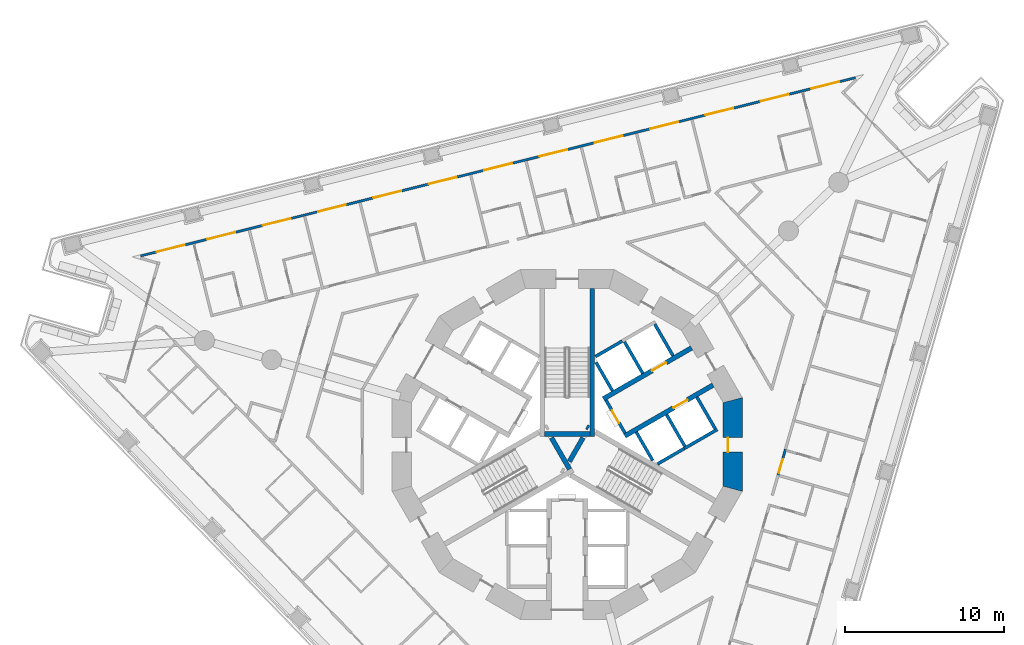
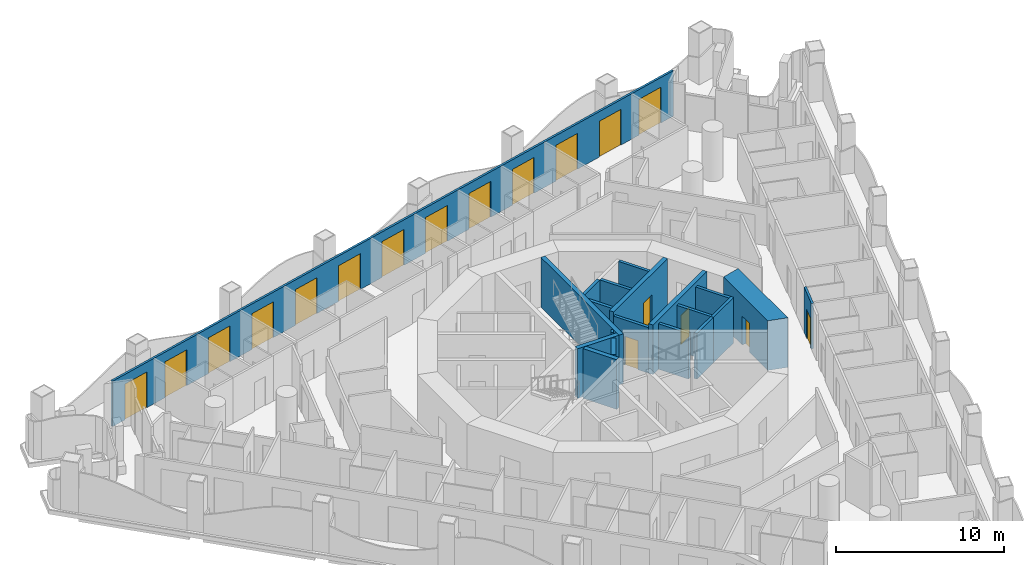
# One storey, part 8 of 19: 20 walls, 18 doors, 18 openings.
"""IFC4 building model written with IfcOpenShell, lengths in metres."""

from ifc_helpers import new_model, si_unit, direction, frame, frame_2d, origin, place, context, subcontext, project, spatial, polyline, rectangle, outline, extrude, material, layer, layer_set, type_object, element, fill, save


model = new_model("IFC4")

# Units and contexts
model_context = context("Model", 3, precision=1e-05, world=origin(), true_north=direction((0.0, 1.0)))
body_context = subcontext(model_context, "Body", "Model", "MODEL_VIEW")
ifc_project = project(units=[si_unit("LENGTHUNIT", "METRE"), si_unit("AREAUNIT", "SQUARE_METRE"), si_unit("VOLUMEUNIT", "CUBIC_METRE"), si_unit("PLANEANGLEUNIT", "RADIAN"), si_unit("MASSUNIT", "GRAM", prefix="KILO")], contexts=[model_context])

# Site, building, storey
site_placement = place(None, origin())
site = spatial("IfcSite", under=ifc_project, at=site_placement, CompositionType="ELEMENT")
building_placement = place(site_placement, origin())
building = spatial("IfcBuilding", under=site, at=building_placement, Name="Trine Commons Tower", CompositionType="ELEMENT")
storey_placement = place(building_placement, frame((0.0, 0.0, 105.300048828125)))
storey = spatial("IfcBuildingStorey", under=building, at=storey_placement, Name="L26", CompositionType="ELEMENT", Elevation=105.300048828125)

# Wall, openings, doors
ifc_material_1 = material(Name="Aluminium-framed insulated wall panel", Category="aluminium")
ifc_layer_1 = layer(ifc_material_1, 0.14990234375)
ifc_layer_set_1 = layer_set([ifc_layer_1], Name="Aluminium-framed insulated wall panel")
wall_type_1 = type_object("IfcWallType", Name="Glazed frame wall 150, EI 60", PredefinedType="SOLIDWALL", material=ifc_layer_set_1)
wall_1_placement = place(storey_placement, frame((53.01416015625, 74.326904296875, 0.0), z_axis=(0.0, 0.0, 1.0), x_axis=(0.970295935704, 0.24192105563, 0.0)))
wall_1 = element("IfcWall", 1, at=wall_1_placement, inside=storey, type_object=wall_type_1, Name="Glazed frame wall F1", PredefinedType="SOLIDWALL", context=body_context, shape_type="SweptSolid", body=[
    extrude(outline(polyline([(0.1494140625, 0.074951171875), (0.1494140625, -0.074951171875), (46.496826171875, -0.074951171875), (46.496826171875, 0.074951171875), (0.1494140625, 0.074951171875)])), origin(), (0.0, 0.0, 1.0), 3.300048828125),
])
opening_1_placement = place(wall_1_placement, frame((1.194091796875, 0.0, 0.0)))
opening_1 = element("IfcOpeningElement", 2, at=opening_1_placement, cuts=wall_1, Name="Opening BD-3F1-01", PredefinedType="OPENING", context=body_context, shape_type="SweptSolid", body=[
    extrude(rectangle(XDim=1.800048828125, YDim=2.60009765625, at=frame_2d((0.89990234375, 1.300048828125))), frame((0.0, 0.0849609375, 0.0), z_axis=(0.0, -1.0, 0.0), x_axis=(1.0, 0.0, 0.0)), (0.0, 0.0, 1.0), 0.169921875),
])
opening_2_placement = place(wall_1_placement, frame((4.482421875, 0.0, 0.0)))
opening_2 = element("IfcOpeningElement", 3, at=opening_2_placement, cuts=wall_1, Name="Opening BD-3F1-02", PredefinedType="OPENING", context=body_context, shape_type="SweptSolid", body=[
    extrude(rectangle(XDim=1.800048828125, YDim=2.60009765625, at=frame_2d((0.89990234375, 1.300048828125))), frame((0.0, 0.0849609375, 0.0), z_axis=(0.0, -1.0, 0.0), x_axis=(1.0, 0.0, 0.0)), (0.0, 0.0, 1.0), 0.169921875),
])
opening_3_placement = place(wall_1_placement, frame((8.070556640625, 0.0, 0.0)))
opening_3 = element("IfcOpeningElement", 4, at=opening_3_placement, cuts=wall_1, Name="Opening BD-3F1-03", PredefinedType="OPENING", context=body_context, shape_type="SweptSolid", body=[
    extrude(rectangle(XDim=1.800048828125, YDim=2.60009765625, at=frame_2d((0.89990234375, 1.300048828125))), frame((0.0, 0.0849609375, 0.0), z_axis=(0.0, -1.0, 0.0), x_axis=(1.0, 0.0, 0.0)), (0.0, 0.0, 1.0), 0.169921875),
])
opening_4_placement = place(wall_1_placement, frame((11.65869140625, 0.0, 0.0)))
opening_4 = element("IfcOpeningElement", 5, at=opening_4_placement, cuts=wall_1, Name="Opening BD-3F1-04", PredefinedType="OPENING", context=body_context, shape_type="SweptSolid", body=[
    extrude(rectangle(XDim=1.800048828125, YDim=2.60009765625, at=frame_2d((0.89990234375, 1.300048828125))), frame((0.0, 0.0849609375, 0.0), z_axis=(0.0, -1.0, 0.0), x_axis=(1.0, 0.0, 0.0)), (0.0, 0.0, 1.0), 0.169921875),
])
opening_5_placement = place(wall_1_placement, frame((15.246826171875, 0.0, 0.0)))
opening_5 = element("IfcOpeningElement", 6, at=opening_5_placement, cuts=wall_1, Name="Opening BD-3F1-05", PredefinedType="OPENING", context=body_context, shape_type="SweptSolid", body=[
    extrude(rectangle(XDim=1.800048828125, YDim=2.60009765625, at=frame_2d((0.89990234375, 1.300048828125))), frame((0.0, 0.0849609375, 0.0), z_axis=(0.0, -1.0, 0.0), x_axis=(1.0, 0.0, 0.0)), (0.0, 0.0, 1.0), 0.169921875),
])
opening_6_placement = place(wall_1_placement, frame((18.835205078125, 0.0, 0.0)))
opening_6 = element("IfcOpeningElement", 7, at=opening_6_placement, cuts=wall_1, Name="Opening BD-3F1-06", PredefinedType="OPENING", context=body_context, shape_type="SweptSolid", body=[
    extrude(rectangle(XDim=1.800048828125, YDim=2.60009765625, at=frame_2d((0.89990234375, 1.300048828125))), frame((0.0, 0.0849609375, 0.0), z_axis=(0.0, -1.0, 0.0), x_axis=(1.0, 0.0, 0.0)), (0.0, 0.0, 1.0), 0.169921875),
])
opening_7_placement = place(wall_1_placement, frame((22.42333984375, 0.0, 0.0)))
opening_7 = element("IfcOpeningElement", 8, at=opening_7_placement, cuts=wall_1, Name="Opening BD-3F1-07", PredefinedType="OPENING", context=body_context, shape_type="SweptSolid", body=[
    extrude(rectangle(XDim=1.800048828125, YDim=2.60009765625, at=frame_2d((0.89990234375, 1.300048828125))), frame((0.0, 0.0849609375, 0.0), z_axis=(0.0, -1.0, 0.0), x_axis=(1.0, 0.0, 0.0)), (0.0, 0.0, 1.0), 0.169921875),
])
opening_8_placement = place(wall_1_placement, frame((26.011474609375, 0.0, 0.0)))
opening_8 = element("IfcOpeningElement", 9, at=opening_8_placement, cuts=wall_1, Name="Opening BD-3F1-08", PredefinedType="OPENING", context=body_context, shape_type="SweptSolid", body=[
    extrude(rectangle(XDim=1.800048828125, YDim=2.60009765625, at=frame_2d((0.89990234375, 1.300048828125))), frame((0.0, 0.0849609375, 0.0), z_axis=(0.0, -1.0, 0.0), x_axis=(1.0, 0.0, 0.0)), (0.0, 0.0, 1.0), 0.169921875),
])
opening_9_placement = place(wall_1_placement, frame((29.599609375, 0.0, 0.0)))
opening_9 = element("IfcOpeningElement", 10, at=opening_9_placement, cuts=wall_1, Name="Opening BD-3F1-09", PredefinedType="OPENING", context=body_context, shape_type="SweptSolid", body=[
    extrude(rectangle(XDim=1.800048828125, YDim=2.60009765625, at=frame_2d((0.89990234375, 1.300048828125))), frame((0.0, 0.0849609375, 0.0), z_axis=(0.0, -1.0, 0.0), x_axis=(1.0, 0.0, 0.0)), (0.0, 0.0, 1.0), 0.169921875),
])
opening_10_placement = place(wall_1_placement, frame((33.18798828125, 0.0, 0.0)))
opening_10 = element("IfcOpeningElement", 11, at=opening_10_placement, cuts=wall_1, Name="Opening BD-3F1-10", PredefinedType="OPENING", context=body_context, shape_type="SweptSolid", body=[
    extrude(rectangle(XDim=1.800048828125, YDim=2.60009765625, at=frame_2d((0.89990234375, 1.300048828125))), frame((0.0, 0.0849609375, 0.0), z_axis=(0.0, -1.0, 0.0), x_axis=(1.0, 0.0, 0.0)), (0.0, 0.0, 1.0), 0.169921875),
])
opening_11_placement = place(wall_1_placement, frame((36.776123046875, 0.0, 0.0)))
opening_11 = element("IfcOpeningElement", 12, at=opening_11_placement, cuts=wall_1, Name="Opening BD-3F1-11", PredefinedType="OPENING", context=body_context, shape_type="SweptSolid", body=[
    extrude(rectangle(XDim=1.800048828125, YDim=2.60009765625, at=frame_2d((0.89990234375, 1.300048828125))), frame((0.0, 0.0849609375, 0.0), z_axis=(0.0, -1.0, 0.0), x_axis=(1.0, 0.0, 0.0)), (0.0, 0.0, 1.0), 0.169921875),
])
opening_12_placement = place(wall_1_placement, frame((40.3642578125, 0.0, 0.0)))
opening_12 = element("IfcOpeningElement", 13, at=opening_12_placement, cuts=wall_1, Name="Opening BD-3F1-12", PredefinedType="OPENING", context=body_context, shape_type="SweptSolid", body=[
    extrude(rectangle(XDim=1.800048828125, YDim=2.60009765625, at=frame_2d((0.89990234375, 1.300048828125))), frame((0.0, 0.0849609375, 0.0), z_axis=(0.0, -1.0, 0.0), x_axis=(1.0, 0.0, 0.0)), (0.0, 0.0, 1.0), 0.169921875),
])
opening_13_placement = place(wall_1_placement, frame((43.652587890625, 0.0, 0.0)))
opening_13 = element("IfcOpeningElement", 14, at=opening_13_placement, cuts=wall_1, Name="Opening BD-3F1-13", PredefinedType="OPENING", context=body_context, shape_type="SweptSolid", body=[
    extrude(rectangle(XDim=1.800048828125, YDim=2.60009765625, at=frame_2d((0.89990234375, 1.300048828125))), frame((0.0, 0.0849609375, 0.0), z_axis=(0.0, -1.0, 0.0), x_axis=(1.0, 0.0, 0.0)), (0.0, 0.0, 1.0), 0.169921875),
])
ifc_material_2 = material(Name="Anodised aluminium frame with double glazing", Category="aluminium")
door_type_1 = type_object("IfcDoorType", Name="Sliding loggia door 1800x2600", OperationType="SLIDING_TO_LEFT", PredefinedType="DOOR", material=ifc_material_2)
door_1_placement = place(opening_1_placement, origin())
door_1 = element("IfcDoor", 15, at=door_1_placement, inside=storey, type_object=door_type_1, Name="Loggia door F1 1", OperationType="SLIDING_TO_LEFT", OverallHeight=2.60009765625, OverallWidth=1.800048828125, PredefinedType="DOOR", context=body_context, shape_type="SweptSolid", body=[
    extrude(rectangle(XDim=1.800048828125, YDim=2.60009765625, at=frame_2d((0.89990234375, 1.300048828125))), frame((0.0, 0.02490234375, 0.0), z_axis=(0.0, -1.0, 0.0), x_axis=(1.0, 0.0, 0.0)), (0.0, 0.0, 1.0), 0.050048828125),
])
fill(opening_1, door_1)
door_2_placement = place(opening_2_placement, origin())
door_2 = element("IfcDoor", 16, at=door_2_placement, inside=storey, type_object=door_type_1, Name="Loggia door F1 2", OperationType="SLIDING_TO_LEFT", OverallHeight=2.60009765625, OverallWidth=1.800048828125, PredefinedType="DOOR", context=body_context, shape_type="SweptSolid", body=[
    extrude(rectangle(XDim=1.800048828125, YDim=2.60009765625, at=frame_2d((0.89990234375, 1.300048828125))), frame((0.0, 0.02490234375, 0.0), z_axis=(0.0, -1.0, 0.0), x_axis=(1.0, 0.0, 0.0)), (0.0, 0.0, 1.0), 0.050048828125),
])
fill(opening_2, door_2)
door_3_placement = place(opening_3_placement, origin())
door_3 = element("IfcDoor", 17, at=door_3_placement, inside=storey, type_object=door_type_1, Name="Loggia door F1 3", OperationType="SLIDING_TO_LEFT", OverallHeight=2.60009765625, OverallWidth=1.800048828125, PredefinedType="DOOR", context=body_context, shape_type="SweptSolid", body=[
    extrude(rectangle(XDim=1.800048828125, YDim=2.60009765625, at=frame_2d((0.89990234375, 1.300048828125))), frame((0.0, 0.02490234375, 0.0), z_axis=(0.0, -1.0, 0.0), x_axis=(1.0, 0.0, 0.0)), (0.0, 0.0, 1.0), 0.050048828125),
])
fill(opening_3, door_3)
door_4_placement = place(opening_4_placement, origin())
door_4 = element("IfcDoor", 18, at=door_4_placement, inside=storey, type_object=door_type_1, Name="Loggia door F1 4", OperationType="SLIDING_TO_LEFT", OverallHeight=2.60009765625, OverallWidth=1.800048828125, PredefinedType="DOOR", context=body_context, shape_type="SweptSolid", body=[
    extrude(rectangle(XDim=1.800048828125, YDim=2.60009765625, at=frame_2d((0.89990234375, 1.300048828125))), frame((0.0, 0.02490234375, 0.0), z_axis=(0.0, -1.0, 0.0), x_axis=(1.0, 0.0, 0.0)), (0.0, 0.0, 1.0), 0.050048828125),
])
fill(opening_4, door_4)
door_5_placement = place(opening_5_placement, origin())
door_5 = element("IfcDoor", 19, at=door_5_placement, inside=storey, type_object=door_type_1, Name="Loggia door F1 5", OperationType="SLIDING_TO_LEFT", OverallHeight=2.60009765625, OverallWidth=1.800048828125, PredefinedType="DOOR", context=body_context, shape_type="SweptSolid", body=[
    extrude(rectangle(XDim=1.800048828125, YDim=2.60009765625, at=frame_2d((0.89990234375, 1.300048828125))), frame((0.0, 0.02490234375, 0.0), z_axis=(0.0, -1.0, 0.0), x_axis=(1.0, 0.0, 0.0)), (0.0, 0.0, 1.0), 0.050048828125),
])
fill(opening_5, door_5)
door_6_placement = place(opening_6_placement, origin())
door_6 = element("IfcDoor", 20, at=door_6_placement, inside=storey, type_object=door_type_1, Name="Loggia door F1 6", OperationType="SLIDING_TO_LEFT", OverallHeight=2.60009765625, OverallWidth=1.800048828125, PredefinedType="DOOR", context=body_context, shape_type="SweptSolid", body=[
    extrude(rectangle(XDim=1.800048828125, YDim=2.60009765625, at=frame_2d((0.89990234375, 1.300048828125))), frame((0.0, 0.02490234375, 0.0), z_axis=(0.0, -1.0, 0.0), x_axis=(1.0, 0.0, 0.0)), (0.0, 0.0, 1.0), 0.050048828125),
])
fill(opening_6, door_6)
door_7_placement = place(opening_7_placement, origin())
door_7 = element("IfcDoor", 21, at=door_7_placement, inside=storey, type_object=door_type_1, Name="Loggia door F1 7", OperationType="SLIDING_TO_LEFT", OverallHeight=2.60009765625, OverallWidth=1.800048828125, PredefinedType="DOOR", context=body_context, shape_type="SweptSolid", body=[
    extrude(rectangle(XDim=1.800048828125, YDim=2.60009765625, at=frame_2d((0.89990234375, 1.300048828125))), frame((0.0, 0.02490234375, 0.0), z_axis=(0.0, -1.0, 0.0), x_axis=(1.0, 0.0, 0.0)), (0.0, 0.0, 1.0), 0.050048828125),
])
fill(opening_7, door_7)
door_8_placement = place(opening_8_placement, origin())
door_8 = element("IfcDoor", 22, at=door_8_placement, inside=storey, type_object=door_type_1, Name="Loggia door F1 8", OperationType="SLIDING_TO_LEFT", OverallHeight=2.60009765625, OverallWidth=1.800048828125, PredefinedType="DOOR", context=body_context, shape_type="SweptSolid", body=[
    extrude(rectangle(XDim=1.800048828125, YDim=2.60009765625, at=frame_2d((0.89990234375, 1.300048828125))), frame((0.0, 0.02490234375, 0.0), z_axis=(0.0, -1.0, 0.0), x_axis=(1.0, 0.0, 0.0)), (0.0, 0.0, 1.0), 0.050048828125),
])
fill(opening_8, door_8)
door_9_placement = place(opening_9_placement, origin())
door_9 = element("IfcDoor", 23, at=door_9_placement, inside=storey, type_object=door_type_1, Name="Loggia door F1 9", OperationType="SLIDING_TO_LEFT", OverallHeight=2.60009765625, OverallWidth=1.800048828125, PredefinedType="DOOR", context=body_context, shape_type="SweptSolid", body=[
    extrude(rectangle(XDim=1.800048828125, YDim=2.60009765625, at=frame_2d((0.89990234375, 1.300048828125))), frame((0.0, 0.02490234375, 0.0), z_axis=(0.0, -1.0, 0.0), x_axis=(1.0, 0.0, 0.0)), (0.0, 0.0, 1.0), 0.050048828125),
])
fill(opening_9, door_9)
door_10_placement = place(opening_10_placement, origin())
door_10 = element("IfcDoor", 24, at=door_10_placement, inside=storey, type_object=door_type_1, Name="Loggia door F1 10", OperationType="SLIDING_TO_LEFT", OverallHeight=2.60009765625, OverallWidth=1.800048828125, PredefinedType="DOOR", context=body_context, shape_type="SweptSolid", body=[
    extrude(rectangle(XDim=1.800048828125, YDim=2.60009765625, at=frame_2d((0.89990234375, 1.300048828125))), frame((0.0, 0.02490234375, 0.0), z_axis=(0.0, -1.0, 0.0), x_axis=(1.0, 0.0, 0.0)), (0.0, 0.0, 1.0), 0.050048828125),
])
fill(opening_10, door_10)
door_11_placement = place(opening_11_placement, origin())
door_11 = element("IfcDoor", 25, at=door_11_placement, inside=storey, type_object=door_type_1, Name="Loggia door F1 11", OperationType="SLIDING_TO_LEFT", OverallHeight=2.60009765625, OverallWidth=1.800048828125, PredefinedType="DOOR", context=body_context, shape_type="SweptSolid", body=[
    extrude(rectangle(XDim=1.800048828125, YDim=2.60009765625, at=frame_2d((0.89990234375, 1.300048828125))), frame((0.0, 0.02490234375, 0.0), z_axis=(0.0, -1.0, 0.0), x_axis=(1.0, 0.0, 0.0)), (0.0, 0.0, 1.0), 0.050048828125),
])
fill(opening_11, door_11)
door_12_placement = place(opening_12_placement, origin())
door_12 = element("IfcDoor", 26, at=door_12_placement, inside=storey, type_object=door_type_1, Name="Loggia door F1 12", OperationType="SLIDING_TO_LEFT", OverallHeight=2.60009765625, OverallWidth=1.800048828125, PredefinedType="DOOR", context=body_context, shape_type="SweptSolid", body=[
    extrude(rectangle(XDim=1.800048828125, YDim=2.60009765625, at=frame_2d((0.89990234375, 1.300048828125))), frame((0.0, 0.02490234375, 0.0), z_axis=(0.0, -1.0, 0.0), x_axis=(1.0, 0.0, 0.0)), (0.0, 0.0, 1.0), 0.050048828125),
])
fill(opening_12, door_12)
door_13_placement = place(opening_13_placement, origin())
door_13 = element("IfcDoor", 27, at=door_13_placement, inside=storey, type_object=door_type_1, Name="Loggia door F1 13", OperationType="SLIDING_TO_LEFT", OverallHeight=2.60009765625, OverallWidth=1.800048828125, PredefinedType="DOOR", context=body_context, shape_type="SweptSolid", body=[
    extrude(rectangle(XDim=1.800048828125, YDim=2.60009765625, at=frame_2d((0.89990234375, 1.300048828125))), frame((0.0, 0.02490234375, 0.0), z_axis=(0.0, -1.0, 0.0), x_axis=(1.0, 0.0, 0.0)), (0.0, 0.0, 1.0), 0.050048828125),
])
fill(opening_13, door_13)

# Wall, opening, door
ifc_material_3 = material(Name="Fire-rated gypsum shaft wall system")
ifc_layer_2 = layer(ifc_material_3, 0.199951171875)
ifc_layer_set_2 = layer_set([ifc_layer_2], Name="Fire-rated gypsum shaft wall system")
wall_type_2 = type_object("IfcWallType", Name="Lobby end wall 200 mm, EI 120", PredefinedType="PARTITIONING", material=ifc_layer_set_2)
wall_2_placement = place(storey_placement, frame((83.631103515625, 63.2109375, 0.0), z_axis=(0.0, 0.0, 1.0), x_axis=(-0.50012165622, 0.865955154139, 0.0)))
wall_2 = element("IfcWall", 28, at=wall_2_placement, inside=storey, type_object=wall_type_2, Name="Lobby end wall L26", PredefinedType="PARTITIONING", context=body_context, shape_type="SweptSolid", body=[
    extrude(rectangle(XDim=2.39990234375, YDim=0.199951171875, at=frame_2d((1.199951171875, 0.0))), origin(), (0.0, 0.0, 1.0), 3.300048828125),
])
opening_14_placement = place(wall_2_placement, frame((0.749755859375, 0.0, 0.0)))
opening_14 = element("IfcOpeningElement", 29, at=opening_14_placement, cuts=wall_2, Name="Opening K05.05", PredefinedType="OPENING", context=body_context, shape_type="SweptSolid", body=[
    extrude(rectangle(XDim=0.89990234375, YDim=2.10009765625, at=frame_2d((0.449951171875, 1.050048828125))), frame((0.0, 0.10986328125, 0.0), z_axis=(0.0, -1.0, 0.0), x_axis=(1.0, 0.0, 0.0)), (0.0, 0.0, 1.0), 0.219970703125),
])
ifc_material_4 = material(Name="Steel door leaf, fire-rated", Category="steel")
door_type_2 = type_object("IfcDoorType", Name="Riser access door, single leaf 900 x 2100, FD60", OperationType="SINGLE_SWING_LEFT", PredefinedType="DOOR", material=ifc_material_4)
door_14_placement = place(opening_14_placement, frame((0.89990234375, 0.0, 0.0), z_axis=(0.0, 0.0, 1.0), x_axis=(-1.0, 0.0, 0.0)))
door_14 = element("IfcDoor", 30, at=door_14_placement, inside=storey, type_object=door_type_2, Name="Riser door, Electrical riser L26", OperationType="SINGLE_SWING_LEFT", OverallHeight=2.10009765625, OverallWidth=0.89990234375, PredefinedType="DOOR", context=body_context, shape_type="SweptSolid", body=[
    extrude(rectangle(XDim=0.89990234375, YDim=2.10009765625, at=frame_2d((0.449951171875, 1.050048828125))), frame((0.0, 0.02490234375, 0.0), z_axis=(0.0, -1.0, 0.0), x_axis=(1.0, 0.0, 0.0)), (0.0, 0.0, 1.0), 0.050048828125),
])
fill(opening_14, door_14)

ifc_material_5 = material(Name="Concrete C70/85", Category="concrete")
ifc_layer_3 = layer(ifc_material_5, 1.199951171875)
ifc_layer_set_3 = layer_set([ifc_layer_3], Name="Concrete C70/85")
wall_type_3 = type_object("IfcWallType", Name="RC shear wall 1200 mm, C70/85", PredefinedType="SHEAR", material=ifc_layer_set_3)
wall_3_placement = place(storey_placement, frame((90.41162109375, 59.549560546875, 0.0), z_axis=(0.0, 0.0, 1.0), x_axis=(0.0, 1.0, 0.0)))
wall_3 = element("IfcWall", 31, at=wall_3_placement, inside=storey, type_object=wall_type_3, Name="Core wall CWC-01 L26", PredefinedType="SHEAR", context=body_context, shape_type="SweptSolid", body=[
    extrude(outline(polyline([(0.0, -0.60009765625), (5.90087890625, -0.60009765625), (5.57958984375, 0.60009765625), (0.321533203125, 0.60009765625), (0.0, -0.60009765625)])), origin(), (0.0, 0.0, 1.0), 3.599853515625),
])
opening_15_placement = place(wall_3_placement, frame((2.4755859375, 0.0, 0.0)))
opening_15 = element("IfcOpeningElement", 32, at=opening_15_placement, cuts=wall_3, Name="Opening K05.16", PredefinedType="OPENING", context=body_context, shape_type="SweptSolid", body=[
    extrude(rectangle(XDim=0.89990234375, YDim=2.10009765625, at=frame_2d((0.449951171875, 1.050048828125))), frame((0.0, 0.60986328125, 0.0), z_axis=(0.0, -1.0, 0.0), x_axis=(1.0, 0.0, 0.0)), (0.0, 0.0, 1.0), 1.219970703125),
])
door_type_3 = type_object("IfcDoorType", Name="Core room door, single leaf 900 x 2100, FD30S", OperationType="SINGLE_SWING_LEFT", PredefinedType="DOOR", material=ifc_material_4)
door_15_placement = place(opening_15_placement, origin())
door_15 = element("IfcDoor", 33, at=door_15_placement, inside=storey, type_object=door_type_3, Name="Door to Accessible WC L26", OperationType="SINGLE_SWING_LEFT", OverallHeight=2.10009765625, OverallWidth=0.89990234375, PredefinedType="DOOR", context=body_context, shape_type="SweptSolid", body=[
    extrude(rectangle(XDim=0.89990234375, YDim=2.10009765625, at=frame_2d((0.449951171875, 1.050048828125))), frame((0.0, 0.3251953125, 0.0), z_axis=(0.0, -1.0, 0.0), x_axis=(1.0, 0.0, 0.0)), (0.0, 0.0, 1.0), 0.050048828125),
])
fill(opening_15, door_15)

ifc_layer_4 = layer(ifc_material_5, 0.300048828125)
ifc_layer_set_4 = layer_set([ifc_layer_4], Name="Concrete C70/85")
wall_type_4 = type_object("IfcWallType", Name="RC shear wall 300 mm, C70/85", PredefinedType="SHEAR", material=ifc_layer_set_4)
wall_4_placement = place(storey_placement, frame((82.26904296875, 65.368896484375, 0.0), z_axis=(0.0, 0.0, 1.0), x_axis=(0.866022631842, 0.500004801114, 0.0)))
wall_4 = element("IfcWall", 34, at=wall_4_placement, inside=storey, type_object=wall_type_4, Name="Core cross wall SWA-05 L26", PredefinedType="SHEAR", context=body_context, shape_type="SweptSolid", body=[
    extrude(rectangle(XDim=6.412109375, YDim=0.300048828125, at=frame_2d((3.2060546875, 0.0))), origin(), (0.0, 0.0, 1.0), 3.599853515625),
])
opening_16_placement = place(wall_4_placement, frame((3.55029296875, 0.0, 0.0)))
opening_16 = element("IfcOpeningElement", 35, at=opening_16_placement, cuts=wall_4, Name="Opening LD1", PredefinedType="OPENING", context=body_context, shape_type="SweptSolid", body=[
    extrude(rectangle(XDim=1.0, YDim=2.10009765625, at=frame_2d((0.5, 1.050048828125))), frame((0.0, 0.159912109375, 0.0), z_axis=(0.0, -1.0, 0.0), x_axis=(1.0, 0.0, 0.0)), (0.0, 0.0, 1.0), 0.320068359375),
])
ifc_material_6 = material(Name="Stainless steel sliding door leaves", Category="steel")
door_type_4 = type_object("IfcDoorType", Name="Lift landing door, centre-opening sliding 1000 x 2100, FD90", OperationType="DOUBLE_DOOR_SLIDING", PredefinedType="DOOR", material=ifc_material_6)
door_16_placement = place(opening_16_placement, origin())
door_16 = element("IfcDoor", 36, at=door_16_placement, inside=storey, type_object=door_type_4, Name="Lift landing door LR1 L26", OperationType="DOUBLE_DOOR_SLIDING", OverallHeight=2.10009765625, OverallWidth=1.0, PredefinedType="DOOR", context=body_context, shape_type="SweptSolid", body=[
    extrude(rectangle(XDim=1.0, YDim=2.10009765625, at=frame_2d((0.5, 1.050048828125))), frame((0.0, 0.02490234375, 0.0), z_axis=(0.0, -1.0, 0.0), x_axis=(1.0, 0.0, 0.0)), (0.0, 0.0, 1.0), 0.050048828125),
])
fill(opening_16, door_16)

wall_5_placement = place(storey_placement, frame((83.618896484375, 63.031005859375, 0.0), z_axis=(0.0, 0.0, 1.0), x_axis=(0.866032150378, 0.499988314375, 0.0)))
wall_5 = element("IfcWall", 37, at=wall_5_placement, inside=storey, type_object=wall_type_4, Name="Core cross wall SWA-06 L26", PredefinedType="SHEAR", context=body_context, shape_type="SweptSolid", body=[
    extrude(rectangle(XDim=6.412353515625, YDim=0.300048828125, at=frame_2d((3.2060546875, 0.0))), origin(), (0.0, 0.0, 1.0), 3.599853515625),
])
opening_17_placement = place(wall_5_placement, frame((3.55029296875, 0.0, 0.0)))
opening_17 = element("IfcOpeningElement", 38, at=opening_17_placement, cuts=wall_5, Name="Opening LD2", PredefinedType="OPENING", context=body_context, shape_type="SweptSolid", body=[
    extrude(rectangle(XDim=1.0, YDim=2.10009765625, at=frame_2d((0.5, 1.050048828125))), frame((0.0, 0.159912109375, 0.0), z_axis=(0.0, -1.0, 0.0), x_axis=(1.0, 0.0, 0.0)), (0.0, 0.0, 1.0), 0.320068359375),
])
door_17_placement = place(opening_17_placement, origin())
door_17 = element("IfcDoor", 39, at=door_17_placement, inside=storey, type_object=door_type_4, Name="Lift landing door LR2 L26", OperationType="DOUBLE_DOOR_SLIDING", OverallHeight=2.10009765625, OverallWidth=1.0, PredefinedType="DOOR", context=body_context, shape_type="SweptSolid", body=[
    extrude(rectangle(XDim=1.0, YDim=2.10009765625, at=frame_2d((0.5, 1.050048828125))), frame((0.0, 0.02490234375, 0.0), z_axis=(0.0, -1.0, 0.0), x_axis=(1.0, 0.0, 0.0)), (0.0, 0.0, 1.0), 0.050048828125),
])
fill(opening_17, door_17)

# Walls
wall_6_placement = place(storey_placement, frame((79.0029296875, 62.926025390625, 0.0), z_axis=(0.0, 0.0, 1.0), x_axis=(0.499965247104, -0.866045467449, 0.0)))
element("IfcWall", 40, at=wall_6_placement, inside=storey, type_object=wall_type_4, Name="Core cross wall SWA-10 L26", PredefinedType="SHEAR", context=body_context, shape_type="SweptSolid", body=[
    extrude(rectangle(XDim=2.292236328125, YDim=0.300048828125, at=frame_2d((1.14599609375, 0.0))), origin(), (0.0, 0.0, 1.0), 3.599853515625),
])
wall_7_placement = place(storey_placement, frame((80.1298828125, 61.424072265625, 0.0), z_axis=(0.0, 0.0, 1.0), x_axis=(0.500014901547, 0.866016800201, 0.0)))
element("IfcWall", 41, at=wall_7_placement, inside=storey, type_object=wall_type_4, Name="Core cross wall SWA-12 L26", PredefinedType="SHEAR", context=body_context, shape_type="SweptSolid", body=[
    extrude(rectangle(XDim=1.734375, YDim=0.300048828125, at=frame_2d((0.8671875, 0.0))), origin(), (0.0, 0.0, 1.0), 3.599853515625),
])
wall_8_placement = place(storey_placement, frame((81.220947265625, 63.614013671875, 0.0), z_axis=(0.0, 0.0, 1.0), x_axis=(0.867737973955, -0.497021939713, 0.0)))
element("IfcWall", 42, at=wall_8_placement, inside=storey, type_object=wall_type_4, Name="Core cross wall SWA-15 L26", PredefinedType="SHEAR", context=body_context, shape_type="SweptSolid", body=[
    extrude(rectangle(XDim=0.14892578125, YDim=0.300048828125, at=frame_2d((0.074462890625, 0.0))), origin(), (0.0, 0.0, 1.0), 3.599853515625),
])
wall_9_placement = place(storey_placement, frame((81.425048828125, 63.15087890625, 0.0), z_axis=(0.0, 0.0, 1.0), x_axis=(-1.0, 0.0, 0.0)))
element("IfcWall", 43, at=wall_9_placement, inside=storey, type_object=wall_type_4, Name="Core cross wall SWA-16 L26", PredefinedType="SHEAR", context=body_context, shape_type="SweptSolid", body=[
    extrude(rectangle(XDim=2.85009765625, YDim=0.300048828125, at=frame_2d((1.425048828125, 0.0))), origin(), (0.0, 0.0, 1.0), 3.599853515625),
])
wall_10_placement = place(storey_placement, frame((81.574951171875, 63.0009765625, 0.0), z_axis=(0.0, 0.0, 1.0), x_axis=(0.0, 1.0, 0.0)))
element("IfcWall", 44, at=wall_10_placement, inside=storey, type_object=wall_type_4, Name="Core cross wall SWA-17 L26", PredefinedType="SHEAR", context=body_context, shape_type="SweptSolid", body=[
    extrude(rectangle(XDim=9.31103515625, YDim=0.300048828125, at=frame_2d((4.655517578125, 0.0))), origin(), (0.0, 0.0, 1.0), 3.599853515625),
])
ifc_layer_5 = layer(ifc_material_3, 0.199951171875)
ifc_layer_set_5 = layer_set([ifc_layer_5], Name="Fire-rated gypsum shaft wall system")
wall_type_5 = type_object("IfcWallType", Name="Shaft wall 200 mm, EI 120", PredefinedType="PARTITIONING", material=ifc_layer_set_5)
wall_11_placement = place(storey_placement, frame((81.77490234375, 68.028076171875, 0.0), z_axis=(0.0, 0.0, 1.0), x_axis=(0.866052014814, 0.499953905513, 0.0)))
element("IfcWall", 45, at=wall_11_placement, inside=storey, type_object=wall_type_5, Name="Shaft wall L26", PredefinedType="PARTITIONING", context=body_context, shape_type="SweptSolid", body=[
    extrude(rectangle(XDim=1.947998046875, YDim=0.199951171875, at=frame_2d((0.97412109375, 0.0))), origin(), (0.0, 0.0, 1.0), 3.300048828125),
])
wall_12_placement = place(storey_placement, frame((82.843994140625, 65.8740234375, 0.0), z_axis=(0.0, 0.0, 1.0), x_axis=(-0.499865770674, 0.866102887253, 0.0)))
element("IfcWall", 46, at=wall_12_placement, inside=storey, type_object=wall_type_5, Name="Shaft wall L26", PredefinedType="PARTITIONING", context=body_context, shape_type="SweptSolid", body=[
    extrude(rectangle(XDim=2.064453125, YDim=0.199951171875, at=frame_2d((1.0322265625, 0.0))), origin(), (0.0, 0.0, 1.0), 3.300048828125),
])
wall_13_placement = place(storey_placement, frame((84.343994140625, 63.27587890625, 0.0), z_axis=(0.0, 0.0, 1.0), x_axis=(0.500271688072, -0.86586848777, 0.0)))
element("IfcWall", 47, at=wall_13_placement, inside=storey, type_object=wall_type_5, Name="Shaft wall L26", PredefinedType="PARTITIONING", context=body_context, shape_type="SweptSolid", body=[
    extrude(rectangle(XDim=2.064697265625, YDim=0.199951171875, at=frame_2d((1.0322265625, 0.0))), origin(), (0.0, 0.0, 1.0), 3.300048828125),
])
wall_14_placement = place(storey_placement, frame((84.7490234375, 66.97412109375, 0.0), z_axis=(0.0, 0.0, 1.0), x_axis=(-0.500136062276, 0.86594683394, 0.0)))
element("IfcWall", 48, at=wall_14_placement, inside=storey, type_object=wall_type_5, Name="Shaft wall L26", PredefinedType="PARTITIONING", context=body_context, shape_type="SweptSolid", body=[
    extrude(rectangle(XDim=2.299072265625, YDim=0.199951171875, at=frame_2d((1.1494140625, 0.0))), origin(), (0.0, 0.0, 1.0), 3.300048828125),
])
wall_15_placement = place(storey_placement, frame((85.675048828125, 61.27294921875, 0.0), z_axis=(0.0, 0.0, 1.0), x_axis=(0.865780634835, 0.500423712812, 0.0)))
element("IfcWall", 49, at=wall_15_placement, inside=storey, type_object=wall_type_5, Name="Shaft wall L26", PredefinedType="PARTITIONING", context=body_context, shape_type="SweptSolid", body=[
    extrude(rectangle(XDim=1.948486328125, YDim=0.199951171875, at=frame_2d((0.97412109375, 0.0))), origin(), (0.0, 0.0, 1.0), 3.300048828125),
])
wall_16_placement = place(storey_placement, frame((86.2490234375, 64.3759765625, 0.0), z_axis=(0.0, 0.0, 1.0), x_axis=(0.500136062276, -0.86594683394, 0.0)))
element("IfcWall", 50, at=wall_16_placement, inside=storey, type_object=wall_type_5, Name="Shaft wall L26", PredefinedType="PARTITIONING", context=body_context, shape_type="SweptSolid", body=[
    extrude(rectangle(XDim=2.299072265625, YDim=0.199951171875, at=frame_2d((1.1494140625, 0.0))), origin(), (0.0, 0.0, 1.0), 3.300048828125),
])
wall_17_placement = place(storey_placement, frame((86.655029296875, 68.073974609375, 0.0), z_axis=(0.0, 0.0, 1.0), x_axis=(-0.500215680983, 0.865900844496, 0.0)))
element("IfcWall", 51, at=wall_17_placement, inside=storey, type_object=wall_type_5, Name="Shaft wall L26", PredefinedType="PARTITIONING", context=body_context, shape_type="SweptSolid", body=[
    extrude(rectangle(XDim=2.29931640625, YDim=0.199951171875, at=frame_2d((1.149658203125, 0.0))), origin(), (0.0, 0.0, 1.0), 3.300048828125),
])
wall_18_placement = place(storey_placement, frame((87.362060546875, 62.248046875, 0.0), z_axis=(0.0, 0.0, 1.0), x_axis=(0.866177122335, 0.499737123639, 0.0)))
element("IfcWall", 52, at=wall_18_placement, inside=storey, type_object=wall_type_5, Name="Shaft wall L26", PredefinedType="PARTITIONING", context=body_context, shape_type="SweptSolid", body=[
    extrude(rectangle(XDim=2.401123046875, YDim=0.199951171875, at=frame_2d((1.20068359375, 0.0))), origin(), (0.0, 0.0, 1.0), 3.300048828125),
])
wall_19_placement = place(storey_placement, frame((88.155029296875, 65.47607421875, 0.0), z_axis=(0.0, 0.0, 1.0), x_axis=(0.500136062276, -0.86594683394, 0.0)))
element("IfcWall", 53, at=wall_19_placement, inside=storey, type_object=wall_type_5, Name="Shaft wall L26", PredefinedType="PARTITIONING", context=body_context, shape_type="SweptSolid", body=[
    extrude(rectangle(XDim=2.299072265625, YDim=0.199951171875, at=frame_2d((1.1494140625, 0.0))), origin(), (0.0, 0.0, 1.0), 3.300048828125),
])

# Wall, opening, door
ifc_material_7 = material(Name="Gypsum plasterboard on steel stud", Category="steel")
ifc_layer_6 = layer(ifc_material_7, 0.14990234375)
ifc_layer_set_6 = layer_set([ifc_layer_6], Name="Gypsum plasterboard on steel stud")
wall_type_6 = type_object("IfcWallType", Name="Unit and corridor wall 150 mm, EI 60", PredefinedType="PARTITIONING", material=ifc_layer_set_6)
wall_20_placement = place(storey_placement, frame((93.240478515625, 60.48779296875, 0.0), z_axis=(0.0, 0.0, 1.0), x_axis=(0.275194545337, 0.961388559437, 0.0)))
wall_20 = element("IfcWall", 54, at=wall_20_placement, inside=storey, type_object=wall_type_6, Name="Partition 128", PredefinedType="PARTITIONING", context=body_context, shape_type="SweptSolid", body=[
    extrude(rectangle(XDim=1.770751953125, YDim=0.14990234375, at=frame_2d((0.88525390625, 0.0))), origin(), (0.0, 0.0, 1.0), 3.300048828125),
])
opening_18_placement = place(wall_20_placement, frame((0.228759765625, 0.0, 0.0)))
opening_18 = element("IfcOpeningElement", 55, at=opening_18_placement, cuts=wall_20, Name="Opening D-3B20", PredefinedType="OPENING", context=body_context, shape_type="SweptSolid", body=[
    extrude(rectangle(XDim=0.89990234375, YDim=2.10009765625, at=frame_2d((0.449951171875, 1.050048828125))), frame((0.0, 0.0849609375, 0.0), z_axis=(0.0, -1.0, 0.0), x_axis=(1.0, 0.0, 0.0)), (0.0, 0.0, 1.0), 0.169921875),
])
ifc_material_8 = material(Name="Timber fire door set", Category="wood")
door_type_5 = type_object("IfcDoorType", Name="Bedroom door 900 x 2100, FD30S", OperationType="NOTDEFINED", PredefinedType="DOOR", material=ifc_material_8)
door_18_placement = place(opening_18_placement, frame((0.89990234375, 0.0, 0.0), z_axis=(0.0, 0.0, 1.0), x_axis=(-1.0, 0.0, 0.0)))
door_18 = element("IfcDoor", 56, at=door_18_placement, inside=storey, type_object=door_type_5, Name="Door D-3B20", OperationType="SINGLE_SWING_RIGHT", OverallHeight=2.10009765625, OverallWidth=0.89990234375, PredefinedType="DOOR", context=body_context, shape_type="SweptSolid", body=[
    extrude(rectangle(XDim=0.89990234375, YDim=2.10009765625, at=frame_2d((0.449951171875, 1.050048828125))), frame((0.0, 0.02490234375, 0.0), z_axis=(0.0, -1.0, 0.0), x_axis=(1.0, 0.0, 0.0)), (0.0, 0.0, 1.0), 0.050048828125),
])
fill(opening_18, door_18)

save(model, "model.ifc")
